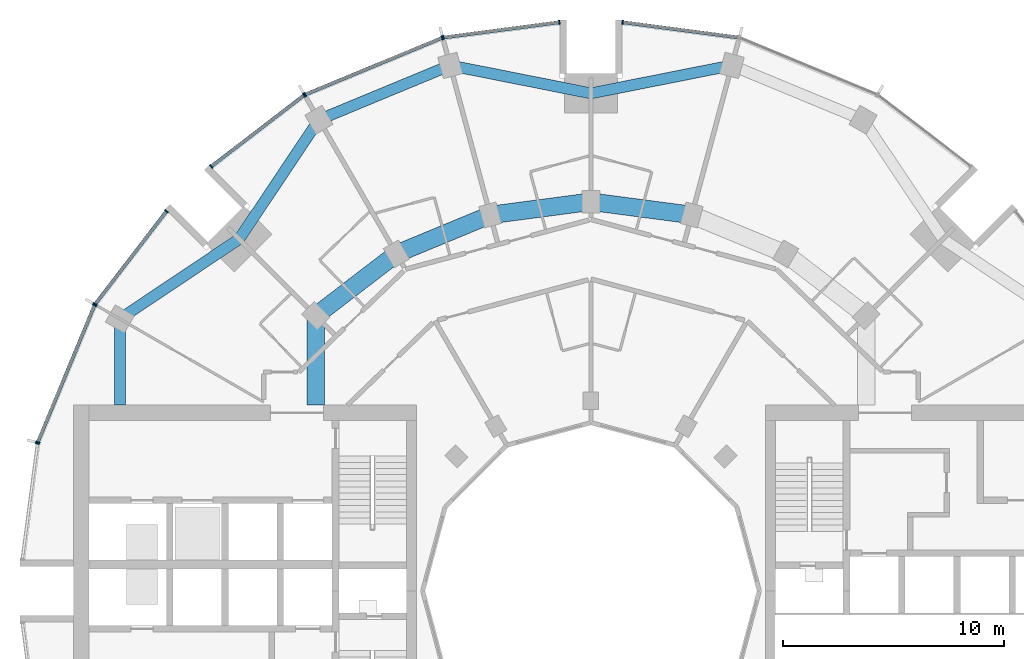
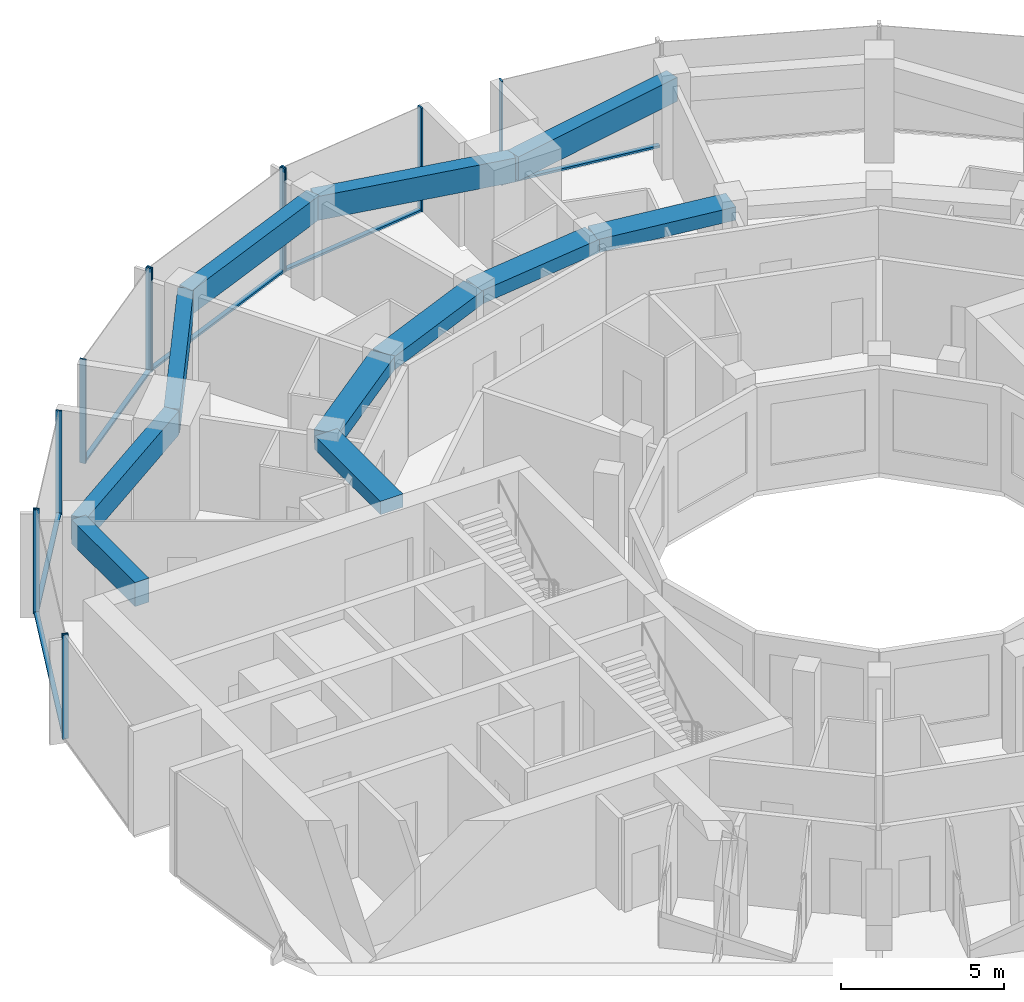
# One storey, part 5 of 15: 18 members, 11 beams, 7 elements without a shape of their own.
"""IFC4 building model written with IfcOpenShell, lengths in metres."""

from ifc_helpers import new_model, si_unit, direction, frame, origin, origin_2d, place, context, subcontext, project, spatial, rectangle, extrude, material, layer, layer_set, material_profile, profile_set, type_object, element, aggregate, save


model = new_model("IFC4")

# Units and contexts
model_context = context("Model", 3, precision=1e-05, world=origin(), true_north=direction((0.0, 1.0)))
body_context = subcontext(model_context, "Body", "Model", "MODEL_VIEW")
ifc_project = project(units=[si_unit("LENGTHUNIT", "METRE"), si_unit("AREAUNIT", "SQUARE_METRE"), si_unit("VOLUMEUNIT", "CUBIC_METRE"), si_unit("PLANEANGLEUNIT", "RADIAN"), si_unit("MASSUNIT", "GRAM", prefix="KILO")], contexts=[model_context])

# Site, building, storey
site_placement = place(None, origin())
site = spatial("IfcSite", under=ifc_project, at=site_placement, CompositionType="ELEMENT")
building_placement = place(site_placement, origin())
building = spatial("IfcBuilding", under=site, at=building_placement, Name="Torre Brocal", CompositionType="ELEMENT")
storey_placement = place(building_placement, frame((0.0, 0.0, 141.89990234375)))
storey = spatial("IfcBuildingStorey", under=building, at=storey_placement, Name="L33", CompositionType="ELEMENT", Elevation=141.89990234375)

# Curtain wall, member
ifc_material_1 = material(Name="Aluminium and glass", Category="aluminium")
ifc_layer_1 = layer(ifc_material_1, 0.199951171875)
ifc_layer_set_1 = layer_set([ifc_layer_1], Name="Aluminium and glass")
curtain_wall_type_1 = type_object("IfcCurtainWallType", Name="CW-1 CURTAIN WALL 3900 HIGH", PredefinedType="NOTDEFINED", material=ifc_layer_set_1)
curtain_wall_1_placement = place(storey_placement, origin())
curtain_wall_1 = element("IfcCurtainWall", 1, at=curtain_wall_1_placement, inside=storey, type_object=curtain_wall_type_1, Name="CW-1 RUN 6", PredefinedType="NOTDEFINED")
ifc_material_2 = material(Name="Aluminium, dark anodised", Category="aluminium")
ifc_material_profile_1 = material_profile(ifc_material_2, rectangle(XDim=0.199951171875, YDim=0.06005859375, at=origin_2d()), Name="CW-1 MULLION 60X200")
ifc_profile_set_1 = profile_set([ifc_material_profile_1], Name="Aluminium, dark anodised")
member_type_1 = type_object("IfcMemberType", Name="CW-1 MULLION 60X200", PredefinedType="MULLION", material=ifc_profile_set_1)
member_1_placement = place(storey_placement, frame((81.4296875, 100.7109375, 0.0), z_axis=(0.0, 0.0, 1.0), x_axis=(-0.13052619222, -0.991444861374, 0.0)))
member_1 = element("IfcMember", 2, at=member_1_placement, type_object=member_type_1, Name="CW1-3 mullion 2", PredefinedType="MULLION", context=body_context, shape_type="SweptSolid", body=[
    extrude(rectangle(XDim=0.199951171875, YDim=0.06005859375, at=origin_2d()), origin(), (0.0, 0.0, 1.0), 3.900146484375),
])

# Curtain wall, members
curtain_wall_2_placement = place(storey_placement, origin())
curtain_wall_2 = element("IfcCurtainWall", 3, at=curtain_wall_2_placement, inside=storey, type_object=curtain_wall_type_1, Name="CW-1 RUN 7", PredefinedType="NOTDEFINED")
member_2_placement = place(storey_placement, frame((78.5703125, 100.7109375, 0.0), z_axis=(0.0, 0.0, 1.0), x_axis=(0.13052619222, -0.991444861374, 0.0)))
member_2 = element("IfcMember", 4, at=member_2_placement, type_object=member_type_1, Name="CW1-3 mullion 1", PredefinedType="MULLION", context=body_context, shape_type="SweptSolid", body=[
    extrude(rectangle(XDim=0.199951171875, YDim=0.06005859375, at=origin_2d()), origin(), (0.0, 0.0, 1.0), 3.900146484375),
])
member_3_placement = place(storey_placement, frame((73.32666015625, 100.0205078125, 0.0), z_axis=(0.0, 0.0, 1.0), x_axis=(0.13052619222, -0.991444861374, 0.0)))
member_3 = element("IfcMember", 5, at=member_3_placement, type_object=member_type_1, Name="CW1-3 mullion 2", PredefinedType="MULLION", context=body_context, shape_type="SweptSolid", body=[
    extrude(rectangle(XDim=0.199951171875, YDim=0.06005859375, at=origin_2d()), origin(), (0.0, 0.0, 1.0), 3.900146484375),
])

curtain_wall_3_placement = place(storey_placement, origin())
curtain_wall_3 = element("IfcCurtainWall", 6, at=curtain_wall_3_placement, inside=storey, type_object=curtain_wall_type_1, Name="CW-1 RUN 8", PredefinedType="NOTDEFINED")
member_4_placement = place(storey_placement, frame((73.26904296875, 100.005126953125, 0.0), z_axis=(0.0, 0.0, 1.0), x_axis=(0.382683432333, -0.923879532525, 0.0)))
member_4 = element("IfcMember", 7, at=member_4_placement, type_object=member_type_1, Name="CW1-3 mullion 1", PredefinedType="MULLION", context=body_context, shape_type="SweptSolid", body=[
    extrude(rectangle(XDim=0.199951171875, YDim=0.06005859375, at=origin_2d()), origin(), (0.0, 0.0, 1.0), 3.900146484375),
])
member_5_placement = place(storey_placement, frame((67.078125, 97.440673828125, 0.0), z_axis=(0.0, 0.0, 1.0), x_axis=(0.382683432333, -0.923879532525, 0.0)))
member_5 = element("IfcMember", 8, at=member_5_placement, type_object=member_type_1, Name="CW1-3 mullion 2", PredefinedType="MULLION", context=body_context, shape_type="SweptSolid", body=[
    extrude(rectangle(XDim=0.199951171875, YDim=0.06005859375, at=origin_2d()), origin(), (0.0, 0.0, 1.0), 3.900146484375),
])

curtain_wall_4_placement = place(storey_placement, origin())
curtain_wall_4 = element("IfcCurtainWall", 9, at=curtain_wall_4_placement, inside=storey, type_object=curtain_wall_type_1, Name="CW-1 RUN 9", PredefinedType="NOTDEFINED")
member_6_placement = place(storey_placement, frame((67.026611328125, 97.4111328125, 0.0), z_axis=(0.0, 0.0, 1.0), x_axis=(0.60876142905, -0.793353340259, 0.0)))
member_6 = element("IfcMember", 10, at=member_6_placement, type_object=member_type_1, Name="CW1-3 mullion 1", PredefinedType="MULLION", context=body_context, shape_type="SweptSolid", body=[
    extrude(rectangle(XDim=0.199951171875, YDim=0.06005859375, at=origin_2d()), origin(), (0.0, 0.0, 1.0), 3.900146484375),
])
member_7_placement = place(storey_placement, frame((62.83056640625, 94.19140625, 0.0), z_axis=(0.0, 0.0, 1.0), x_axis=(0.60876142905, -0.793353340259, 0.0)))
member_7 = element("IfcMember", 11, at=member_7_placement, type_object=member_type_1, Name="CW1-3 mullion 2", PredefinedType="MULLION", context=body_context, shape_type="SweptSolid", body=[
    extrude(rectangle(XDim=0.199951171875, YDim=0.06005859375, at=origin_2d()), origin(), (0.0, 0.0, 1.0), 3.900146484375),
])

curtain_wall_5_placement = place(storey_placement, origin())
curtain_wall_5 = element("IfcCurtainWall", 12, at=curtain_wall_5_placement, inside=storey, type_object=curtain_wall_type_1, Name="CW-1 RUN 10", PredefinedType="NOTDEFINED")
member_8_placement = place(storey_placement, frame((60.80859375, 92.16943359375, 0.0), z_axis=(0.0, 0.0, 1.0), x_axis=(0.793353340259, -0.60876142905, 0.0)))
member_8 = element("IfcMember", 13, at=member_8_placement, type_object=member_type_1, Name="CW1-3 mullion 1", PredefinedType="MULLION", context=body_context, shape_type="SweptSolid", body=[
    extrude(rectangle(XDim=0.199951171875, YDim=0.06005859375, at=origin_2d()), origin(), (0.0, 0.0, 1.0), 3.900146484375),
])
member_9_placement = place(storey_placement, frame((57.5888671875, 87.973388671875, 0.0), z_axis=(0.0, 0.0, 1.0), x_axis=(0.793353340259, -0.60876142905, 0.0)))
member_9 = element("IfcMember", 14, at=member_9_placement, type_object=member_type_1, Name="CW1-3 mullion 2", PredefinedType="MULLION", context=body_context, shape_type="SweptSolid", body=[
    extrude(rectangle(XDim=0.199951171875, YDim=0.06005859375, at=origin_2d()), origin(), (0.0, 0.0, 1.0), 3.900146484375),
])

curtain_wall_6_placement = place(storey_placement, origin())
curtain_wall_6 = element("IfcCurtainWall", 15, at=curtain_wall_6_placement, inside=storey, type_object=curtain_wall_type_1, Name="CW-1 RUN 11", PredefinedType="NOTDEFINED")
member_10_placement = place(storey_placement, frame((57.559326171875, 87.921875, 0.0), z_axis=(0.0, 0.0, 1.0), x_axis=(0.923879532525, -0.382683432333, 0.0)))
member_10 = element("IfcMember", 16, at=member_10_placement, type_object=member_type_1, Name="CW1-3 mullion 1", PredefinedType="MULLION", context=body_context, shape_type="SweptSolid", body=[
    extrude(rectangle(XDim=0.199951171875, YDim=0.06005859375, at=origin_2d()), origin(), (0.0, 0.0, 1.0), 3.900146484375),
])
member_11_placement = place(storey_placement, frame((54.994873046875, 81.73095703125, 0.0), z_axis=(0.0, 0.0, 1.0), x_axis=(0.923879532525, -0.382683432333, 0.0)))
member_11 = element("IfcMember", 17, at=member_11_placement, type_object=member_type_1, Name="CW1-3 mullion 2", PredefinedType="MULLION", context=body_context, shape_type="SweptSolid", body=[
    extrude(rectangle(XDim=0.199951171875, YDim=0.06005859375, at=origin_2d()), origin(), (0.0, 0.0, 1.0), 3.900146484375),
])

# Member
ifc_material_3 = material(Name="Aluminium, dark anodised", Category="aluminium")
ifc_material_profile_2 = material_profile(ifc_material_3, rectangle(XDim=0.159912109375, YDim=0.080078125, at=origin_2d()), Name="CW-1 TRANSOM 160X80")
ifc_profile_set_2 = profile_set([ifc_material_profile_2], Name="Aluminium, dark anodised")
member_type_2 = type_object("IfcMemberType", Name="CW-1 TRANSOM 160X80", PredefinedType="USERDEFINED", material=ifc_profile_set_2)
member_12_placement = place(storey_placement, frame((86.643798828125, 100.0244140625, 0.0400390625), z_axis=(-0.991442690863, 0.130542677827, 0.0), x_axis=(-0.130542677827, -0.991442690863, 0.0)))
member_12 = element("IfcMember", 18, at=member_12_placement, type_object=member_type_2, Name="CW1-3 transom 1.1", ObjectType="TRANSOM", PredefinedType="USERDEFINED", context=body_context, shape_type="SweptSolid", body=[
    extrude(rectangle(XDim=0.159912109375, YDim=0.080078125, at=origin_2d()), origin(), (0.0, 0.0, 1.0), 5.22900390625),
])

aggregate(curtain_wall_1, [member_1, member_12])

member_13_placement = place(storey_placement, frame((78.54052734375, 100.70703125, 0.0400390625), z_axis=(-0.991442690863, -0.130542677827, 0.0), x_axis=(0.130542677827, -0.991442690863, 0.0)))
member_13 = element("IfcMember", 19, at=member_13_placement, type_object=member_type_2, Name="CW1-3 transom 1.1", ObjectType="TRANSOM", PredefinedType="USERDEFINED", context=body_context, shape_type="SweptSolid", body=[
    extrude(rectangle(XDim=0.159912109375, YDim=0.080078125, at=origin_2d()), origin(), (0.0, 0.0, 1.0), 5.22900390625),
])

aggregate(curtain_wall_2, [member_2, member_3, member_13])

member_14_placement = place(storey_placement, frame((73.241455078125, 99.99365234375, 0.0400390625), z_axis=(-0.923887344364, -0.38266457234, 0.0), x_axis=(0.38266457234, -0.923887344364, 0.0)))
member_14 = element("IfcMember", 20, at=member_14_placement, type_object=member_type_2, Name="CW1-3 transom 1.1", ObjectType="TRANSOM", PredefinedType="USERDEFINED", context=body_context, shape_type="SweptSolid", body=[
    extrude(rectangle(XDim=0.159912109375, YDim=0.080078125, at=origin_2d()), origin(), (0.0, 0.0, 1.0), 6.640869140625),
])

aggregate(curtain_wall_3, [member_4, member_5, member_14])

member_15_placement = place(storey_placement, frame((67.0029296875, 97.392822265625, 0.0400390625), z_axis=(-0.79336281513, -0.60874908096, 0.0), x_axis=(0.60874908096, -0.79336281513, 0.0)))
member_15 = element("IfcMember", 21, at=member_15_placement, type_object=member_type_2, Name="CW1-3 transom 1.1", ObjectType="TRANSOM", PredefinedType="USERDEFINED", context=body_context, shape_type="SweptSolid", body=[
    extrude(rectangle(XDim=0.159912109375, YDim=0.080078125, at=origin_2d()), origin(), (0.0, 0.0, 1.0), 5.22900390625),
])

aggregate(curtain_wall_4, [member_6, member_7, member_15])

member_16_placement = place(storey_placement, frame((60.790283203125, 92.1455078125, 0.0400390625), z_axis=(-0.60874908096, -0.79336281513, 0.0), x_axis=(0.79336281513, -0.60874908096, 0.0)))
member_16 = element("IfcMember", 22, at=member_16_placement, type_object=member_type_2, Name="CW1-3 transom 1.1", ObjectType="TRANSOM", PredefinedType="USERDEFINED", context=body_context, shape_type="SweptSolid", body=[
    extrude(rectangle(XDim=0.159912109375, YDim=0.080078125, at=origin_2d()), origin(), (0.0, 0.0, 1.0), 5.22900390625),
])

aggregate(curtain_wall_5, [member_8, member_9, member_16])

member_17_placement = place(storey_placement, frame((57.547607421875, 87.89404296875, 0.0400390625), z_axis=(-0.38266457234, -0.923887344364, 0.0), x_axis=(0.923887344364, -0.38266457234, 0.0)))
member_17 = element("IfcMember", 23, at=member_17_placement, type_object=member_type_2, Name="CW1-3 transom 1.1", ObjectType="TRANSOM", PredefinedType="USERDEFINED", context=body_context, shape_type="SweptSolid", body=[
    extrude(rectangle(XDim=0.159912109375, YDim=0.080078125, at=origin_2d()), origin(), (0.0, 0.0, 1.0), 6.640869140625),
])

aggregate(curtain_wall_6, [member_10, member_11, member_17])

# Curtain wall, member
ifc_material_4 = material(Name="Aluminium and glass", Category="aluminium")
ifc_layer_2 = layer(ifc_material_4, 0.199951171875)
ifc_layer_set_2 = layer_set([ifc_layer_2], Name="Aluminium and glass")
curtain_wall_type_2 = type_object("IfcCurtainWallType", Name="CW-1B CURTAIN WALL 3900 HIGH", PredefinedType="NOTDEFINED", material=ifc_layer_set_2)
curtain_wall_7_placement = place(storey_placement, origin())
curtain_wall_7 = element("IfcCurtainWall", 24, at=curtain_wall_7_placement, inside=storey, type_object=curtain_wall_type_2, Name="CW-1B RUN 12", PredefinedType="NOTDEFINED")
ifc_material_5 = material(Name="Aluminium, dark anodised", Category="aluminium")
ifc_material_profile_3 = material_profile(ifc_material_5, rectangle(XDim=0.199951171875, YDim=0.06005859375, at=origin_2d()), Name="CW-1B MULLION 60X200")
ifc_profile_set_3 = profile_set([ifc_material_profile_3], Name="Aluminium, dark anodised")
member_type_3 = type_object("IfcMemberType", Name="CW-1B MULLION 60X200", PredefinedType="MULLION", material=ifc_profile_set_3)
member_18_placement = place(storey_placement, frame((54.9794921875, 81.67333984375, 0.0), z_axis=(0.0, 0.0, 1.0), x_axis=(0.991444861374, -0.13052619222, 0.0)))
member_18 = element("IfcMember", 25, at=member_18_placement, type_object=member_type_3, Name="CW1B-3 mullion 1", PredefinedType="MULLION", context=body_context, shape_type="SweptSolid", body=[
    extrude(rectangle(XDim=0.199951171875, YDim=0.06005859375, at=origin_2d()), origin(), (0.0, 0.0, 1.0), 3.900146484375),
])
aggregate(curtain_wall_7, [member_18])

# Beams
ifc_material_6 = material(Name="Concrete C50", Category="concrete")
ifc_material_profile_4 = material_profile(ifc_material_6, rectangle(XDim=0.800048828125, YDim=0.5, at=origin_2d()), Name="RC 800X500")
ifc_profile_set_4 = profile_set([ifc_material_profile_4], Name="Concrete C50")
beam_type_1 = type_object("IfcBeamType", Name="RC BEAM 800X500 C50 TOP 3580", PredefinedType="BEAM", material=ifc_profile_set_4)
for number, where, z_axis, x_axis, name in (
    (26, (84.55517578125, 92.000244140625, 3.330078125), (-0.991440544449, 0.130558978332, 0.0), (-0.130558978332, -0.991440544449, 0.0), "Beam BT-28"),
    (27, (80.0, 92.60009765625, 3.330078125), (-0.991440544449, -0.130558978332, 0.0), (0.130558978332, -0.991440544449, 0.0), "Beam BT-28"),
):
    element("IfcBeam", number, at=place(storey_placement, frame(where, z_axis=z_axis, x_axis=x_axis)), inside=storey, type_object=beam_type_1, Name=name, PredefinedType="BEAM", context=body_context, shape_type="SweptSolid", body=[
        extrude(rectangle(XDim=0.800048828125, YDim=0.5, at=origin_2d()), origin(), (0.0, 0.0, 1.0), 4.594482421875),
    ])
beam_1_placement = place(storey_placement, frame((75.44482421875, 92.000244140625, 3.330078125), z_axis=(-0.923878240166, -0.382686552348, 0.0), x_axis=(0.382686552348, -0.923878240166, 0.0)))
element("IfcBeam", 28, at=beam_1_placement, inside=storey, type_object=beam_type_1, Name="Beam BT-28", PredefinedType="BEAM", context=body_context, shape_type="SweptSolid", body=[
    extrude(rectangle(XDim=0.800048828125, YDim=0.5, at=origin_2d()), origin(), (0.0, 0.0, 1.0), 4.5947265625),
])
beam_2_placement = place(storey_placement, frame((71.199951171875, 90.241943359375, 3.330078125), z_axis=(-0.793358265959, -0.6087550097, 0.0), x_axis=(0.6087550097, -0.793358265959, 0.0)))
element("IfcBeam", 29, at=beam_2_placement, inside=storey, type_object=beam_type_1, Name="Beam BT-28", PredefinedType="BEAM", context=body_context, shape_type="SweptSolid", body=[
    extrude(rectangle(XDim=0.800048828125, YDim=0.5, at=origin_2d()), origin(), (0.0, 0.0, 1.0), 4.594482421875),
])
beam_3_placement = place(storey_placement, frame((67.554931640625, 87.445068359375, 3.330078125), z_axis=(0.0, -1.0, 0.0), x_axis=(1.0, 0.0, 0.0)))
element("IfcBeam", 30, at=beam_3_placement, inside=storey, type_object=beam_type_1, Name="Beam BT-28", PredefinedType="BEAM", context=body_context, shape_type="SweptSolid", body=[
    extrude(rectangle(XDim=0.800048828125, YDim=0.5, at=origin_2d()), origin(), (0.0, 0.0, 1.0), 4.045166015625),
])
ifc_material_7 = material(Name="Concrete C50", Category="concrete")
ifc_material_profile_5 = material_profile(ifc_material_7, rectangle(XDim=0.5, YDim=0.89990234375, at=origin_2d()), Name="RC 500X900")
ifc_profile_set_5 = profile_set([ifc_material_profile_5], Name="Concrete C50")
beam_type_2 = type_object("IfcBeamType", Name="RC SPANDREL BEAM 500X900 C50 TOP 3580", PredefinedType="SPANDREL", material=ifc_profile_set_5)
for number, where, z_axis, x_axis, name in (
    (31, (86.366943359375, 98.76171875, 3.130126953125), (-0.980924907484, -0.194387051723, 0.0), (0.194387051723, -0.980924907484, 0.0), "Beam BT-29"),
    (32, (80.0, 97.5, 3.130126953125), (-0.980924907484, 0.194387051723, 0.0), (-0.194387051723, -0.980924907484, 0.0), "Beam BT-29"),
):
    element("IfcBeam", number, at=place(storey_placement, frame(where, z_axis=z_axis, x_axis=x_axis)), inside=storey, type_object=beam_type_2, Name=name, PredefinedType="SPANDREL", context=body_context, shape_type="SweptSolid", body=[
        extrude(rectangle(XDim=0.5, YDim=0.89990234375, at=origin_2d()), origin(), (0.0, 0.0, 1.0), 6.49072265625),
    ])
beam_4_placement = place(storey_placement, frame((73.633056640625, 98.76171875, 3.130126953125), z_axis=(-0.923882462513, -0.382676358639, 0.0), x_axis=(0.382676358639, -0.923882462513, 0.0)))
element("IfcBeam", 33, at=beam_4_placement, inside=storey, type_object=beam_type_2, Name="Beam BT-29", PredefinedType="SPANDREL", context=body_context, shape_type="SweptSolid", body=[
    extrude(rectangle(XDim=0.5, YDim=0.89990234375, at=origin_2d()), origin(), (0.0, 0.0, 1.0), 6.421875),
])
for number, where, z_axis, x_axis, name in (
    (34, (67.699951171875, 96.30419921875, 3.130126953125), (-0.556157602282, -0.831076844476, 0.0), (0.831076844476, -0.556157602282, 0.0), "Beam BT-29"),
    (35, (64.090087890625, 90.909912109375, 3.130126953125), (-0.831076844476, -0.556157602282, 0.0), (0.556157602282, -0.831076844476, 0.0), "Beam BT-29"),
):
    element("IfcBeam", number, at=place(storey_placement, frame(where, z_axis=z_axis, x_axis=x_axis)), inside=storey, type_object=beam_type_2, Name=name, PredefinedType="SPANDREL", context=body_context, shape_type="SweptSolid", body=[
        extrude(rectangle(XDim=0.5, YDim=0.89990234375, at=origin_2d()), origin(), (0.0, 0.0, 1.0), 6.49072265625),
    ])
beam_5_placement = place(storey_placement, frame((58.69580078125, 87.300048828125, 3.130126953125), z_axis=(0.0, -1.0, 0.0), x_axis=(1.0, 0.0, 0.0)))
element("IfcBeam", 36, at=beam_5_placement, inside=storey, type_object=beam_type_2, Name="Beam BT-29", PredefinedType="SPANDREL", context=body_context, shape_type="SweptSolid", body=[
    extrude(rectangle(XDim=0.5, YDim=0.89990234375, at=origin_2d()), origin(), (0.0, 0.0, 1.0), 3.900146484375),
])

save(model, "model.ifc")
